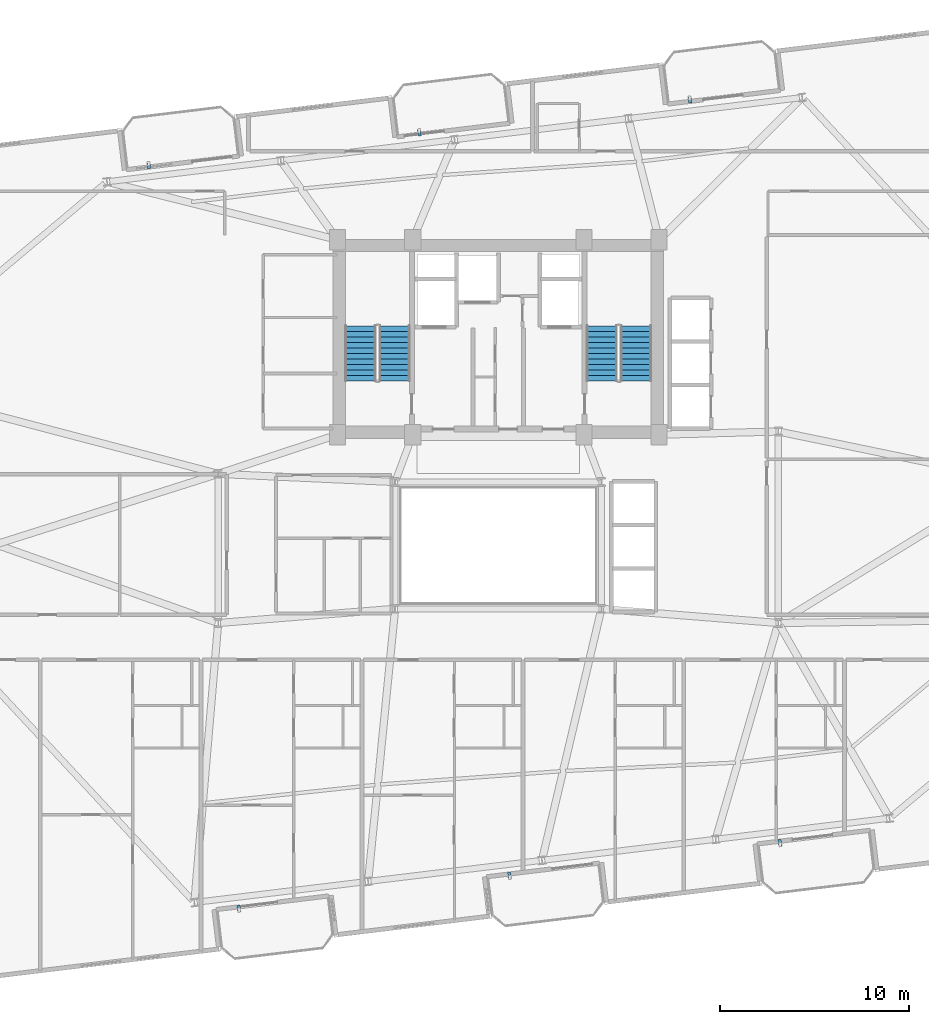
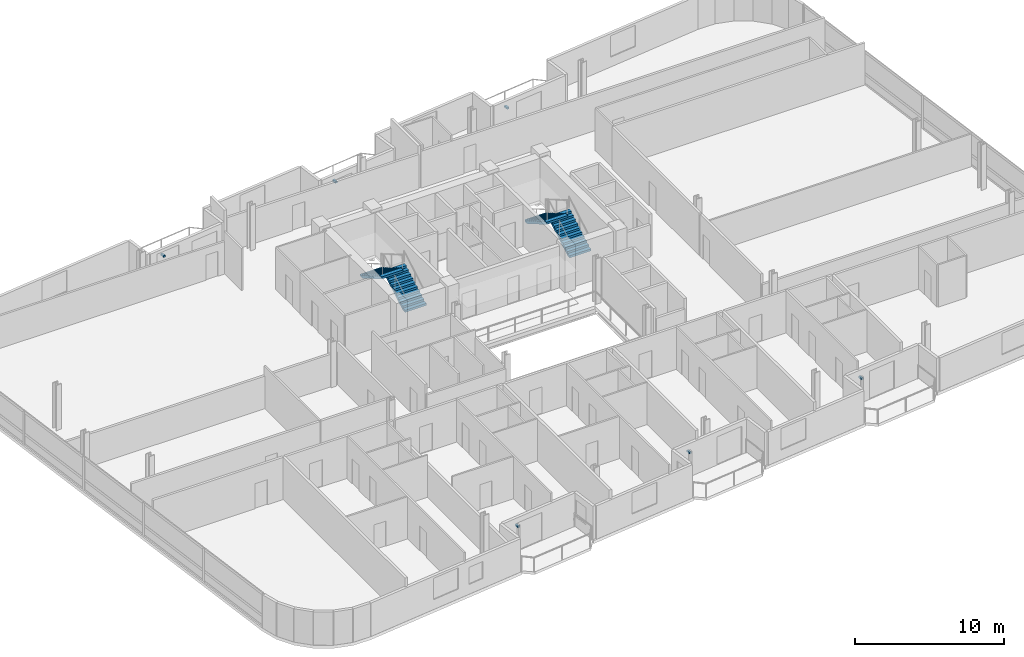
# One storey, part 19 of 23: 6 discrete accessories, 4 stair flights, 2 elements without a shape of their own.
"""IFC4 building model written with IfcOpenShell, lengths in metres."""

from ifc_helpers import new_model, si_unit, direction, frame, origin, origin_2d, place, context, subcontext, project, spatial, polyline, rectangle, outline, extrude, source, transform, mapped, material, type_object, element, aggregate, save


model = new_model("IFC4")

# Units and contexts
model_context = context("Model", 3, precision=1e-05, world=origin(), true_north=direction((0.0, 1.0)))
body_context = subcontext(model_context, "Body", "Model", "MODEL_VIEW")
ifc_project = project(units=[si_unit("LENGTHUNIT", "METRE"), si_unit("AREAUNIT", "SQUARE_METRE"), si_unit("VOLUMEUNIT", "CUBIC_METRE"), si_unit("PLANEANGLEUNIT", "RADIAN"), si_unit("MASSUNIT", "GRAM", prefix="KILO")], contexts=[model_context])

# Site, building, storey
site_placement = place(None, origin())
site = spatial("IfcSite", under=ifc_project, at=site_placement, CompositionType="ELEMENT")
building_placement = place(site_placement, origin())
building = spatial("IfcBuilding", under=site, at=building_placement, Name="Varnelok Gate Tower", CompositionType="ELEMENT")
storey_placement = place(building_placement, frame((0.0, 0.0, 193.10009765625)))
storey = spatial("IfcBuildingStorey", under=building, at=storey_placement, Name="L49", CompositionType="ELEMENT", Elevation=193.10009765625)

# Stair, stair flights
ifc_material_1 = material(Name="Concrete C50/60", Category="concrete")
stair_type = type_object("IfcStairType", Name="STR-CORE-1650", PredefinedType="HALF_TURN_STAIR", material=ifc_material_1)
stair_1_placement = place(storey_placement, origin())
stair_1 = element("IfcStair", 1, at=stair_1_placement, inside=storey, type_object=stair_type, Name="L49 Exit Stair ST-1", PredefinedType="HALF_TURN_STAIR")
stair_flight_type = type_object("IfcStairFlightType", Name="SFL-CORE-1650", PredefinedType="STRAIGHT", material=ifc_material_1)
stair_flight_1_placement = place(storey_placement, frame((33.72509765625, 31.60009765625, 0.0), z_axis=(0.0, 0.0, 1.0), x_axis=(0.0, 1.0, 0.0)))
stair_flight_1 = element("IfcStairFlight", 2, at=stair_flight_1_placement, type_object=stair_flight_type, Name="ST-1 flight 1", NumberOfRisers=11, NumberOfTreads=10, PredefinedType="STRAIGHT", RiserHeight=0.168181818, TreadLength=0.29, context=body_context, shape_type="SweptSolid", body=[
    extrude(outline(polyline([(0.0, 0.0), (0.0, 0.168212890625), (0.2900390625, 0.168212890625), (0.2900390625, 0.33642578125), (0.580078125, 0.33642578125), (0.580078125, 0.504638671875), (0.8701171875, 0.504638671875), (0.8701171875, 0.672607421875), (1.159912109375, 0.672607421875), (1.159912109375, 0.8408203125), (1.449951171875, 0.8408203125), (1.449951171875, 1.009033203125), (1.739990234375, 1.009033203125), (1.739990234375, 1.17724609375), (2.030029296875, 1.17724609375), (2.030029296875, 1.345458984375), (2.320068359375, 1.345458984375), (2.320068359375, 1.513671875), (2.610107421875, 1.513671875), (2.610107421875, 1.681884765625), (2.89990234375, 1.681884765625), (2.89990234375, 1.85009765625), (2.89990234375, 1.508544921875), (0.298828125, 0.0), (0.0, 0.0)])), frame((0.0, 0.824951171875, 0.0), z_axis=(0.0, -1.0, 0.0), x_axis=(1.0, 0.0, 0.0)), (0.0, 0.0, 1.0), 1.64990234375),
])
stair_flight_2_placement = place(storey_placement, frame((31.925048828125, 34.5, 1.849853515625), z_axis=(0.0, 0.0, 1.0), x_axis=(0.0, -1.0, 0.0)))
stair_flight_2 = element("IfcStairFlight", 3, at=stair_flight_2_placement, type_object=stair_flight_type, Name="ST-1 flight 2", NumberOfRisers=11, NumberOfTreads=10, PredefinedType="STRAIGHT", RiserHeight=0.168181818, TreadLength=0.29, context=body_context, shape_type="SweptSolid", body=[
    extrude(outline(polyline([(0.0, 0.0), (0.0, 0.168212890625), (0.2900390625, 0.168212890625), (0.2900390625, 0.33642578125), (0.580078125, 0.33642578125), (0.580078125, 0.504638671875), (0.8701171875, 0.504638671875), (0.8701171875, 0.672607421875), (1.159912109375, 0.672607421875), (1.159912109375, 0.8408203125), (1.449951171875, 0.8408203125), (1.449951171875, 1.009033203125), (1.739990234375, 1.009033203125), (1.739990234375, 1.17724609375), (2.030029296875, 1.17724609375), (2.030029296875, 1.345458984375), (2.320068359375, 1.345458984375), (2.320068359375, 1.513671875), (2.610107421875, 1.513671875), (2.610107421875, 1.681884765625), (2.89990234375, 1.681884765625), (2.89990234375, 1.85009765625), (2.89990234375, 1.508544921875), (0.298828125, 0.0), (0.0, 0.0)])), frame((0.0, 0.824951171875, 0.0), z_axis=(0.0, -1.0, 0.0), x_axis=(1.0, 0.0, 0.0)), (0.0, 0.0, 1.0), 1.64990234375),
])
aggregate(stair_1, [stair_flight_1, stair_flight_2])

stair_2_placement = place(storey_placement, origin())
stair_2 = element("IfcStair", 4, at=stair_2_placement, inside=storey, type_object=stair_type, Name="L49 Exit Stair ST-2", PredefinedType="HALF_TURN_STAIR")
stair_flight_3_placement = place(storey_placement, frame((46.47509765625, 31.60009765625, 0.0), z_axis=(0.0, 0.0, 1.0), x_axis=(0.0, 1.0, 0.0)))
stair_flight_3 = element("IfcStairFlight", 5, at=stair_flight_3_placement, type_object=stair_flight_type, Name="ST-2 flight 1", NumberOfRisers=11, NumberOfTreads=10, PredefinedType="STRAIGHT", RiserHeight=0.168181818, TreadLength=0.29, context=body_context, shape_type="SweptSolid", body=[
    extrude(outline(polyline([(0.0, 0.0), (0.0, 0.168212890625), (0.2900390625, 0.168212890625), (0.2900390625, 0.33642578125), (0.580078125, 0.33642578125), (0.580078125, 0.504638671875), (0.8701171875, 0.504638671875), (0.8701171875, 0.672607421875), (1.159912109375, 0.672607421875), (1.159912109375, 0.8408203125), (1.449951171875, 0.8408203125), (1.449951171875, 1.009033203125), (1.739990234375, 1.009033203125), (1.739990234375, 1.17724609375), (2.030029296875, 1.17724609375), (2.030029296875, 1.345458984375), (2.320068359375, 1.345458984375), (2.320068359375, 1.513671875), (2.610107421875, 1.513671875), (2.610107421875, 1.681884765625), (2.89990234375, 1.681884765625), (2.89990234375, 1.85009765625), (2.89990234375, 1.508544921875), (0.298828125, 0.0), (0.0, 0.0)])), frame((0.0, 0.824951171875, 0.0), z_axis=(0.0, -1.0, 0.0), x_axis=(1.0, 0.0, 0.0)), (0.0, 0.0, 1.0), 1.64990234375),
])
stair_flight_4_placement = place(storey_placement, frame((44.675048828125, 34.5, 1.849853515625), z_axis=(0.0, 0.0, 1.0), x_axis=(0.0, -1.0, 0.0)))
stair_flight_4 = element("IfcStairFlight", 6, at=stair_flight_4_placement, type_object=stair_flight_type, Name="ST-2 flight 2", NumberOfRisers=11, NumberOfTreads=10, PredefinedType="STRAIGHT", RiserHeight=0.168181818, TreadLength=0.29, context=body_context, shape_type="SweptSolid", body=[
    extrude(outline(polyline([(0.0, 0.0), (0.0, 0.168212890625), (0.2900390625, 0.168212890625), (0.2900390625, 0.33642578125), (0.580078125, 0.33642578125), (0.580078125, 0.504638671875), (0.8701171875, 0.504638671875), (0.8701171875, 0.672607421875), (1.159912109375, 0.672607421875), (1.159912109375, 0.8408203125), (1.449951171875, 0.8408203125), (1.449951171875, 1.009033203125), (1.739990234375, 1.009033203125), (1.739990234375, 1.17724609375), (2.030029296875, 1.17724609375), (2.030029296875, 1.345458984375), (2.320068359375, 1.345458984375), (2.320068359375, 1.513671875), (2.610107421875, 1.513671875), (2.610107421875, 1.681884765625), (2.89990234375, 1.681884765625), (2.89990234375, 1.85009765625), (2.89990234375, 1.508544921875), (0.298828125, 0.0), (0.0, 0.0)])), frame((0.0, 0.824951171875, 0.0), z_axis=(0.0, -1.0, 0.0), x_axis=(1.0, 0.0, 0.0)), (0.0, 0.0, 1.0), 1.64990234375),
])
aggregate(stair_2, [stair_flight_3, stair_flight_4])

# Discrete accessories
ifc_material_2 = material(Name="Structural Steel ASTM A500 Grade C", Category="steel")
discrete_accessory_type = type_object("IfcDiscreteAccessoryType", Name="ACC-BAGUETTE-BRK", PredefinedType="BRACKET", material=ifc_material_2)
shared_shape = source(origin(), body_context, "Body", "SweptSolid", [
    extrude(rectangle(XDim=0.159912109375, YDim=0.340087890625, at=origin_2d()), origin(), (0.0, 0.0, 1.0), 0.139892578125),
])
for number, where, z_axis, x_axis, name in (
    (7, (25.4970703125, 3.72412109375, 1.97998046875), (0.0, 0.0, 1.0), (0.992732158755, 0.12034475881, 0.0), "L49 Terracotta Baguette Bracket 1.1"),
    (8, (39.792236328125, 5.45703125, 1.97998046875), (0.0, 0.0, 1.0), (0.992732158755, 0.12034475881, 0.0), "L49 Terracotta Baguette Bracket 2.1"),
    (9, (54.087646484375, 7.18994140625, 1.97998046875), (0.0, 0.0, 1.0), (0.992732158755, 0.12034475881, 0.0), "L49 Terracotta Baguette Bracket 3.1"),
    (10, (20.738525390625, 42.976806640625, 1.97998046875), (0.0, 0.0, 1.0), (0.992732158755, 0.12034475881, 0.0), "L49 Terracotta Baguette Bracket 4.1"),
    (11, (35.033935546875, 44.709716796875, 1.97998046875), (0.0, 0.0, 1.0), (0.992732158755, 0.12034475881, 0.0), "L49 Terracotta Baguette Bracket 5.1"),
    (12, (49.3291015625, 46.442626953125, 1.97998046875), (0.0, 0.0, 1.0), (0.992732158755, 0.12034475881, 0.0), "L49 Terracotta Baguette Bracket 6.1"),
):
    element("IfcDiscreteAccessory", number, at=place(storey_placement, frame(where, z_axis=z_axis, x_axis=x_axis)), inside=storey, type_object=discrete_accessory_type, Name=name, PredefinedType="BRACKET", context=body_context, shape_type="MappedRepresentation", body=[
        mapped(shared_shape, transform((0.0, 0.0, 0.0), scale=1.0)),
    ])

save(model, "model.ifc")
